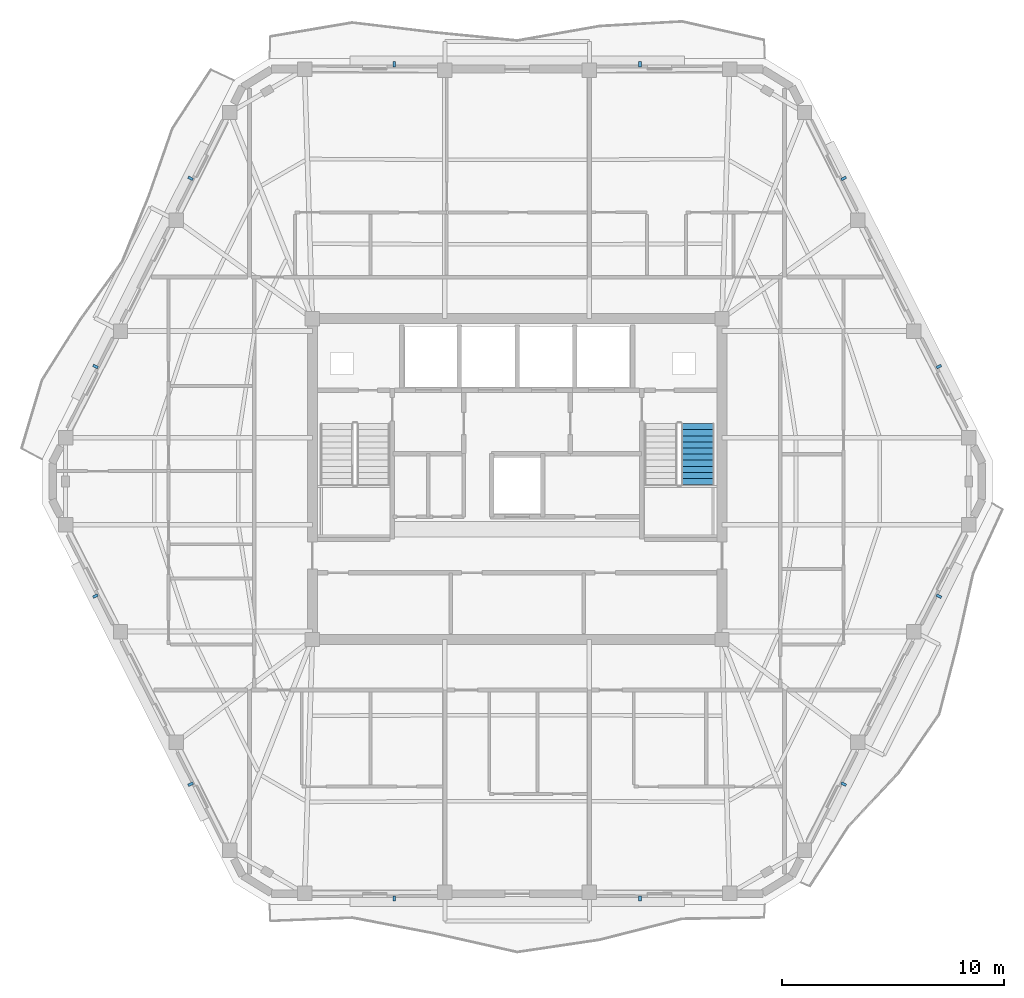
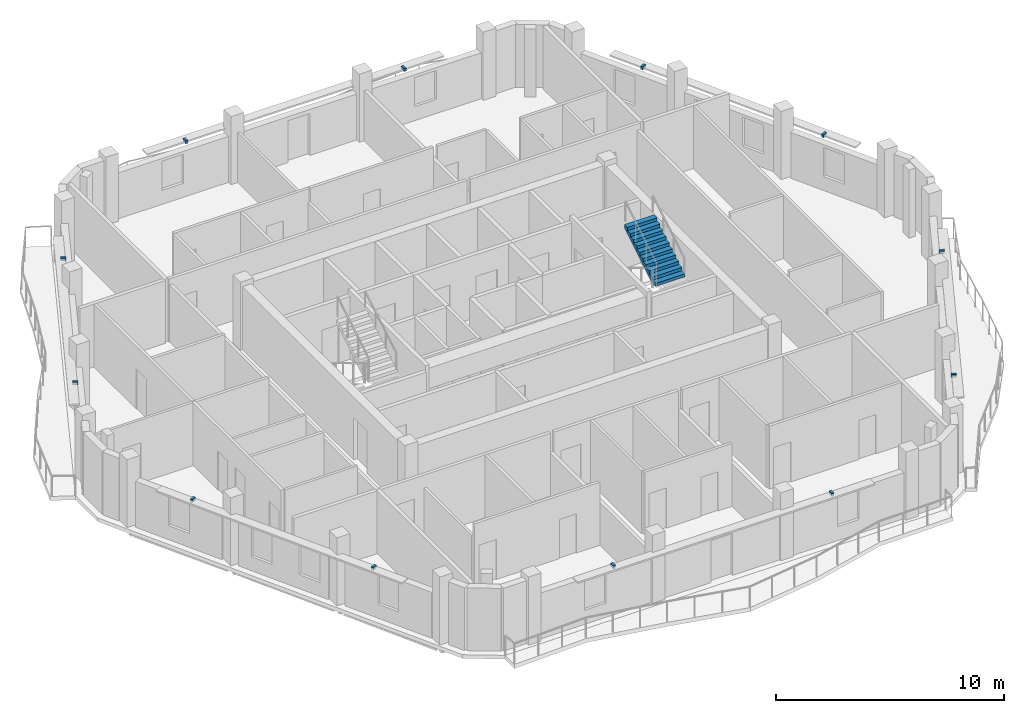
# One storey, part 8 of 11: 12 discrete accessories, 1 stair flight, 1 element without a shape of its own.
"""IFC4 building model written with IfcOpenShell, lengths in metres."""

from ifc_helpers import new_model, si_unit, direction, frame, origin, origin_2d, place, context, subcontext, project, spatial, polyline, rectangle, outline, extrude, material, type_object, element, aggregate, save


model = new_model("IFC4")

# Units and contexts
model_context = context("Model", 3, precision=1e-05, world=origin(), true_north=direction((0.0, 1.0)))
body_context = subcontext(model_context, "Body", "Model", "MODEL_VIEW")
ifc_project = project(units=[si_unit("LENGTHUNIT", "METRE"), si_unit("AREAUNIT", "SQUARE_METRE"), si_unit("VOLUMEUNIT", "CUBIC_METRE"), si_unit("PLANEANGLEUNIT", "RADIAN"), si_unit("MASSUNIT", "GRAM", prefix="KILO")], contexts=[model_context])

# Site, building, storey
site_placement = place(None, origin())
site = spatial("IfcSite", under=ifc_project, at=site_placement, CompositionType="ELEMENT")
building_placement = place(site_placement, origin())
building = spatial("IfcBuilding", under=site, at=building_placement, Name="Cinnabar Lancet Tower", CompositionType="ELEMENT")
storey_placement = place(building_placement, frame((0.0, 0.0, 274.449951171875)))
storey = spatial("IfcBuildingStorey", under=building, at=storey_placement, Name="L73", CompositionType="ELEMENT", Elevation=274.449951171875)

# Stair, stair flight
ifc_material_1 = material(Name="Concrete C40/50", Category="concrete")
stair_type = type_object("IfcStairType", Name="ST-CORE", PredefinedType="HALF_TURN_STAIR", material=ifc_material_1)
stair_placement = place(storey_placement, origin())
stair = element("IfcStair", 1, at=stair_placement, inside=storey, type_object=stair_type, Name="L73 ST-2", PredefinedType="HALF_TURN_STAIR")
ifc_material_2 = material(Name="Concrete C40/50", Category="concrete")
stair_flight_type = type_object("IfcStairFlightType", Name="FLIGHT-CORE", PredefinedType="STRAIGHT", material=ifc_material_2)
stair_flight_placement = place(storey_placement, frame((40.52490234375, 25.64990234375, 1.824951171875), z_axis=(0.0, 0.0, 1.0), x_axis=(0.0, 1.0, 0.0)))
stair_flight = element("IfcStairFlight", 2, at=stair_flight_placement, type_object=stair_flight_type, Name="ST-2 flight 2", NumberOfRisers=11, NumberOfTreads=10, PredefinedType="STRAIGHT", RiserHeight=0.165909091, TreadLength=0.275, context=body_context, shape_type="SweptSolid", body=[
    extrude(outline(polyline([(0.0, 0.0), (0.0, 0.166015625), (0.27490234375, 0.166015625), (0.27490234375, 0.331787109375), (0.550048828125, 0.331787109375), (0.550048828125, 0.497802734375), (0.824951171875, 0.497802734375), (0.824951171875, 0.66357421875), (1.10009765625, 0.66357421875), (1.10009765625, 0.82958984375), (1.375, 0.82958984375), (1.375, 0.995361328125), (1.64990234375, 0.995361328125), (1.64990234375, 1.161376953125), (1.925048828125, 1.161376953125), (1.925048828125, 1.327392578125), (2.199951171875, 1.327392578125), (2.199951171875, 1.4931640625), (2.47509765625, 1.4931640625), (2.47509765625, 1.6591796875), (2.75, 1.6591796875), (2.75, 1.824951171875), (2.75, 1.484130859375), (0.290283203125, 0.0), (0.0, 0.0)])), frame((0.0, 0.75, 0.0), z_axis=(0.0, -1.0, 0.0), x_axis=(1.0, 0.0, 0.0)), (0.0, 0.0, 1.0), 1.5),
])
aggregate(stair, [stair_flight])

# Discrete accessories
ifc_material_3 = material(Name="Stainless steel 316 facade fixing bracket", Category="steel")
discrete_accessory_type = type_object("IfcDiscreteAccessoryType", Name="ENV-ACC-BRK-180", PredefinedType="BRACKET", material=ifc_material_3)
for number, where, z_axis, x_axis, name in (
    (3, (26.863037109375, 7.010009765625, 2.60009765625), (0.0, 0.0, 1.0), (1.0, 0.0, 0.0), "L73 Face 1 Sunshade Bracket A"),
    (4, (37.93701171875, 7.010009765625, 2.60009765625), (0.0, 0.0, 1.0), (1.0, 0.0, 0.0), "L73 Face 1 Sunshade Bracket B"),
    (5, (47.10791015625, 12.157958984375, 2.60009765625), (0.0, 0.0, 1.0), (0.451375984307, 0.89233386173, 0.0), "L73 Face 2 Sunshade Bracket A"),
    (6, (51.39306640625, 20.6298828125, 2.60009765625), (0.0, 0.0, 1.0), (0.451375984307, 0.89233386173, 0.0), "L73 Face 2 Sunshade Bracket B"),
    (7, (51.39306640625, 30.969970703125, 2.60009765625), (0.0, 0.0, 1.0), (-0.451375984307, 0.89233386173, 0.0), "L73 Face 3 Sunshade Bracket A"),
    (8, (47.10791015625, 39.44189453125, 2.60009765625), (0.0, 0.0, 1.0), (-0.451375984307, 0.89233386173, 0.0), "L73 Face 3 Sunshade Bracket B"),
    (9, (37.93701171875, 44.590087890625, 2.60009765625), (0.0, 0.0, 1.0), (-1.0, 0.0, 0.0), "L73 Face 4 Sunshade Bracket A"),
    (10, (26.863037109375, 44.590087890625, 2.60009765625), (0.0, 0.0, 1.0), (-1.0, 0.0, 0.0), "L73 Face 4 Sunshade Bracket B"),
    (11, (17.69189453125, 39.44189453125, 2.60009765625), (0.0, 0.0, 1.0), (-0.451375984307, -0.89233386173, 0.0), "L73 Face 5 Sunshade Bracket A"),
    (12, (13.406982421875, 30.969970703125, 2.60009765625), (0.0, 0.0, 1.0), (-0.451375984307, -0.89233386173, 0.0), "L73 Face 5 Sunshade Bracket B"),
    (13, (13.406982421875, 20.6298828125, 2.60009765625), (0.0, 0.0, 1.0), (0.451375984307, -0.89233386173, 0.0), "L73 Face 6 Sunshade Bracket A"),
    (14, (17.69189453125, 12.157958984375, 2.60009765625), (0.0, 0.0, 1.0), (0.451375984307, -0.89233386173, 0.0), "L73 Face 6 Sunshade Bracket B"),
):
    element("IfcDiscreteAccessory", number, at=place(storey_placement, frame(where, z_axis=z_axis, x_axis=x_axis)), inside=storey, type_object=discrete_accessory_type, Name=name, PredefinedType="BRACKET", context=body_context, shape_type="SweptSolid", body=[
        extrude(rectangle(XDim=0.1201171875, YDim=0.239990234375, at=origin_2d()), origin(), (0.0, 0.0, 1.0), 0.159912109375),
    ])

save(model, "model.ifc")
